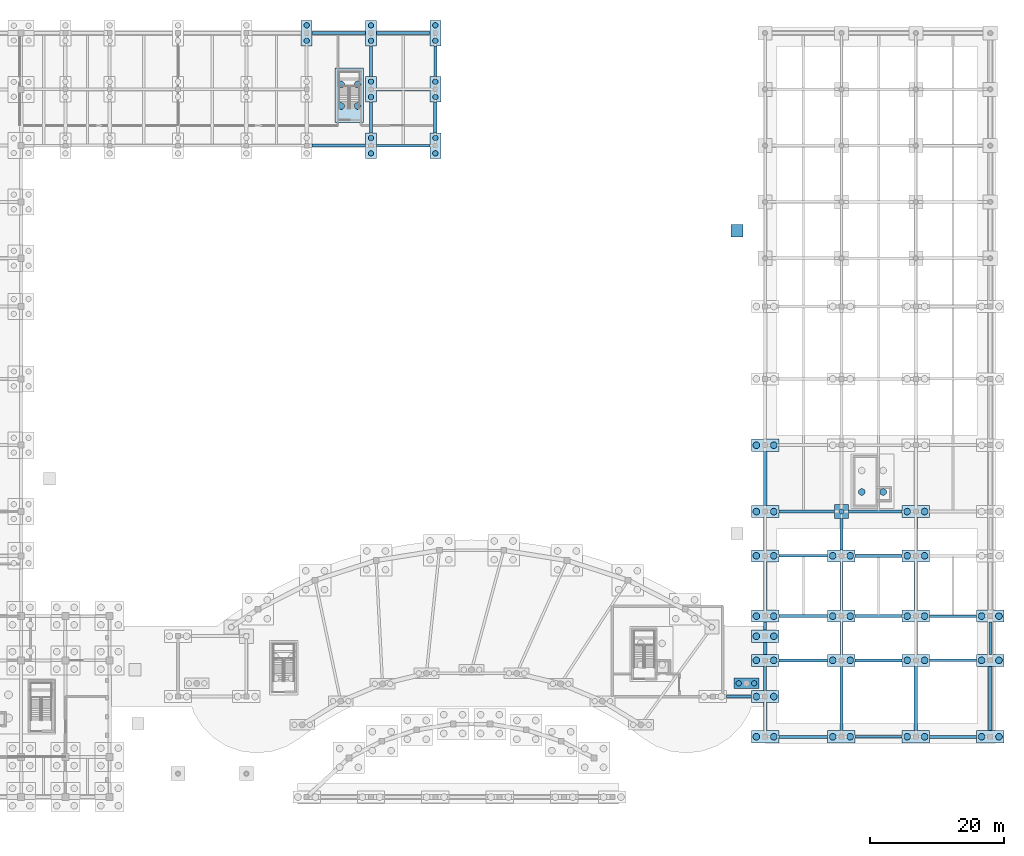
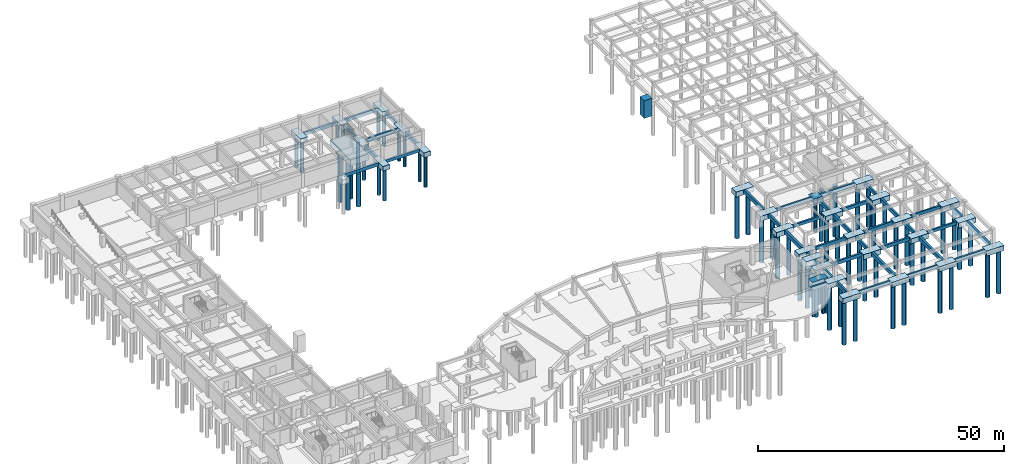
# One storey, part 5 of 28: 71 footings, 63 piles.
"""IFC4 building model written with IfcOpenShell, lengths in metres."""

import ifcopenshell
import ifcopenshell.guid

model = None  # the IFC model being written
_history = None  # IfcOwnerHistory: only IFC2X3 demands one
_inside = {}  # id of a spatial element -> (the spatial element, [elements in it])
_under = {}  # id of a project, library or spatial element -> (it, [spatial elements below it])
_declared = {}  # id of a project -> (the project, [libraries it declares])
_typed = {}  # id of a type object -> (the type object, [elements of that type])
_made_of = {}  # id of a material, layer set ... -> (it, [elements and type objects made of it])


def new_model(schema):
    """Start an empty IFC model of exactly this schema.

    Asked for "IFC4X3", IfcOpenShell would pick the latest addendum, in which some entities
    have other attributes; the version numbers below select the first issue.
    IFC2X3 requires an IfcOwnerHistory on every rooted entity: one is made here for all.
    """
    global model, _history
    if schema == "IFC4X3":
        model = ifcopenshell.file(schema_version=(4, 3, 0, 0))
    else:
        model = ifcopenshell.file(schema=schema)
    _inside.clear()
    _under.clear()
    _declared.clear()
    _typed.clear()
    _made_of.clear()
    _history = None
    if model.schema == "IFC2X3":
        org = make("IfcOrganization", Name="unknown")
        user = make(
            "IfcPersonAndOrganization",
            ThePerson=make("IfcPerson", FamilyName="unknown"),
            TheOrganization=org,
        )
        app = make(
            "IfcApplication",
            ApplicationDeveloper=org,
            Version="unknown",
            ApplicationFullName="unknown",
            ApplicationIdentifier="unknown",
        )
        _history = make(
            "IfcOwnerHistory",
            OwningUser=user,
            OwningApplication=app,
            ChangeAction="ADDED",
            CreationDate=0,
        )
    return model


def make(cls, **values):
    """One entity of the class cls with the attributes given. An attribute that is None is left unset."""
    return model.create_entity(
        cls, **{name: value for name, value in values.items() if value is not None}
    )


def rooted(cls, **values):
    """An entity with a GlobalId (a new one), such as an element, a storey or a relation."""
    return make(cls, GlobalId=ifcopenshell.guid.new(), OwnerHistory=_history, **values)


def si_unit(unit_type, name, prefix=None):
    """IfcSIUnit, for example si_unit("LENGTHUNIT", "METRE", prefix="MILLI")."""
    return make("IfcSIUnit", UnitType=unit_type, Prefix=prefix, Name=name)


def assignment(units):
    """IfcUnitAssignment: the units of a project."""
    return None if units is None else make("IfcUnitAssignment", Units=units)


def point(xyz):
    """IfcCartesianPoint."""
    return None if xyz is None else make("IfcCartesianPoint", Coordinates=xyz)


def direction(xyz):
    """IfcDirection."""
    return None if xyz is None else make("IfcDirection", DirectionRatios=xyz)


def frame(location, z_axis=None, x_axis=None):
    """IfcAxis2Placement3D, a coordinate frame: its origin and axes. An axis left out is left unset."""
    return make(
        "IfcAxis2Placement3D",
        Location=point(location),
        Axis=direction(z_axis),
        RefDirection=direction(x_axis),
    )


def frame_2d(location, x_axis=None):
    """IfcAxis2Placement2D, a coordinate frame in the plane: its origin and x axis."""
    return make(
        "IfcAxis2Placement2D", Location=point(location), RefDirection=direction(x_axis)
    )


def origin():
    """The frame at (0, 0, 0) with its axes left unset."""
    return frame((0.0, 0.0, 0.0))


def origin_2d():
    """The frame at (0, 0) in the plane with its x axis left unset."""
    return frame_2d((0.0, 0.0))


def place(relative_to, where):
    """IfcLocalPlacement: puts the frame where relative to a parent placement (None: the world)."""
    return make(
        "IfcLocalPlacement", PlacementRelTo=relative_to, RelativePlacement=where
    )


def context(
    kind, dimensions, precision=None, world=None, true_north=None, identifier=None
):
    """IfcGeometricRepresentationContext, for example the 3D "Model" context."""
    return make(
        "IfcGeometricRepresentationContext",
        ContextIdentifier=identifier,
        ContextType=kind,
        CoordinateSpaceDimension=dimensions,
        Precision=precision,
        WorldCoordinateSystem=world,
        TrueNorth=true_north,
    )


def subcontext(parent, identifier, kind, view, scale=None):
    """IfcGeometricRepresentationSubContext, for example "Body" below "Model"."""
    return make(
        "IfcGeometricRepresentationSubContext",
        ContextIdentifier=identifier,
        ContextType=kind,
        ParentContext=parent,
        TargetScale=scale,
        TargetView=view,
    )


def project(units=None, contexts=None):
    """IfcProject with its units and contexts."""
    return rooted(
        "IfcProject",
        Name="project",
        RepresentationContexts=contexts,
        UnitsInContext=assignment(units),
    )


def spatial(cls, under=None, at=None, **own):
    """A site, building, storey or space (cls), placed at a placement, below another one or the project."""
    s = rooted(cls, ObjectPlacement=at, **own)
    if under is not None:
        _under.setdefault(under.id(), (under, []))[1].append(s)
    return s


def profile(cls, at=None, kind="AREA", **sizes):
    """A parametric profile (cls). Its sizes go by their IFC names, for example OverallWidth=200.0."""
    return make(cls, ProfileType=kind, Position=at, **sizes)


def rectangle(**sizes):
    """IfcRectangleProfileDef."""
    return profile("IfcRectangleProfileDef", **sizes)


def circle(**sizes):
    """IfcCircleProfileDef."""
    return profile("IfcCircleProfileDef", **sizes)


def extrude(swept, where, along, depth):
    """IfcExtrudedAreaSolid: the profile swept, set in the frame where, extruded along a direction by depth."""
    return make(
        "IfcExtrudedAreaSolid",
        SweptArea=swept,
        Position=where,
        ExtrudedDirection=direction(along),
        Depth=depth,
    )


def shape(context_of_items, identifier, shape_type, items):
    """IfcShapeRepresentation: the items that make up one representation, for example the "Body"."""
    return make(
        "IfcShapeRepresentation",
        ContextOfItems=context_of_items,
        RepresentationIdentifier=identifier,
        RepresentationType=shape_type,
        Items=items,
    )


def material(Name=None, Category=None):
    """IfcMaterial."""
    return make("IfcMaterial", Name=Name, Category=Category)


def layer(
    of_material, thickness, ventilated=None, Name=None, Category=None, Priority=None
):
    """IfcMaterialLayer: one layer of a wall or slab, of a material (None: an air gap)."""
    return make(
        "IfcMaterialLayer",
        Material=of_material,
        LayerThickness=thickness,
        IsVentilated=ventilated,
        Name=Name,
        Category=Category,
        Priority=Priority,
    )


def layer_set(layers, Name=None):
    """IfcMaterialLayerSet."""
    return make("IfcMaterialLayerSet", MaterialLayers=layers, LayerSetName=Name)


def material_profile(
    of_material, cross_section, Name=None, Category=None, Priority=None
):
    """IfcMaterialProfile: a cross section and its material."""
    return make(
        "IfcMaterialProfile",
        Name=Name,
        Material=of_material,
        Profile=cross_section,
        Priority=Priority,
        Category=Category,
    )


def profile_set(profiles, Name=None, composite=None):
    """IfcMaterialProfileSet."""
    return make(
        "IfcMaterialProfileSet",
        Name=Name,
        MaterialProfiles=profiles,
        CompositeProfile=composite,
    )


def made_of(thing, what):
    """Note that an element or type object is made of a material, layer set ...; save() writes the relation."""
    if what is not None:
        _made_of.setdefault(what.id(), (what, []))[1].append(thing)
    return thing


def type_object(cls, material=None, **own):
    """A type object (cls), such as IfcWallType, which elements share."""
    return made_of(rooted(cls, **own), material)


def element(
    cls,
    number,
    at=None,
    inside=None,
    cuts=None,
    type_object=None,
    material=None,
    context=None,
    identifier="Body",
    shape_type=None,
    held_by="IfcProductDefinitionShape",
    body=None,
    shapes=None,
    **own,
):
    """One element of the class cls, such as IfcWall. Its Tag is "e" and its number.

    at: its placement. inside: the storey or other place that contains it. cuts: it is an
    opening in that element (IfcRelVoidsElement). A single representation is given by context,
    identifier, shape_type and body (its items); several are given by shapes. held_by: the class
    of the entity that holds the representations. save() writes the other relations.
    """
    e = rooted(cls, Tag="e%d" % number, ObjectPlacement=at, **own)
    if body is not None:
        shapes = [shape(context, identifier, shape_type, body)]
    if shapes is not None:
        e.Representation = make(held_by, Representations=shapes)
    if inside is not None:
        _inside.setdefault(inside.id(), (inside, []))[1].append(e)
    if cuts is not None:
        rooted(
            "IfcRelVoidsElement", RelatingBuildingElement=cuts, RelatedOpeningElement=e
        )
    if type_object is not None:
        _typed.setdefault(type_object.id(), (type_object, []))[1].append(e)
    return made_of(e, material)


def aggregate(whole, parts):
    """IfcRelAggregates: a whole, such as a stair, and the parts it consists of."""
    return rooted("IfcRelAggregates", RelatingObject=whole, RelatedObjects=parts)


def save(model, path):
    """Write the relations noted so far, then the file.

    IfcRelAggregates (storeys below a building ...), IfcRelContainedInSpatialStructure (elements
    in a storey), IfcRelDefinesByType, IfcRelAssociatesMaterial and IfcRelDeclares: one each for
    every whole, place, type object, material and project.
    """
    for whole, parts in _under.values():
        aggregate(whole, parts)
    for where, things in _inside.values():
        rooted(
            "IfcRelContainedInSpatialStructure",
            RelatedElements=things,
            RelatingStructure=where,
        )
    for kind, things in _typed.values():
        rooted("IfcRelDefinesByType", RelatedObjects=things, RelatingType=kind)
    for what, things in _made_of.values():
        rooted("IfcRelAssociatesMaterial", RelatedObjects=things, RelatingMaterial=what)
    for by, libraries in _declared.values():
        rooted("IfcRelDeclares", RelatingContext=by, RelatedDefinitions=libraries)
    model.write(path)


model = new_model("IFC4")

# Units and contexts
model_context = context("Model", 3, precision=1e-05, world=origin(), true_north=direction((0.0, 1.0)))
body_context = subcontext(model_context, "Body", "Model", "MODEL_VIEW")
ifc_project = project(units=[si_unit("LENGTHUNIT", "METRE"), si_unit("AREAUNIT", "SQUARE_METRE"), si_unit("VOLUMEUNIT", "CUBIC_METRE"), si_unit("PLANEANGLEUNIT", "RADIAN"), si_unit("MASSUNIT", "GRAM", prefix="KILO")], contexts=[model_context])

# Site, building, storey
site_placement = place(None, origin())
site = spatial("IfcSite", under=ifc_project, at=site_placement, CompositionType="ELEMENT")
building_placement = place(site_placement, origin())
building = spatial("IfcBuilding", under=site, at=building_placement, Name="Miralva Faculty of Natural Sciences", CompositionType="ELEMENT")
storey_placement = place(building_placement, frame((0.0, 0.0, -4.5)))
storey = spatial("IfcBuildingStorey", under=building, at=storey_placement, Name="B1", CompositionType="ELEMENT", Elevation=-4.5)

# Footings
ifc_material_1 = material(Name="Concrete C35/45", Category="concrete")
ifc_layer_1 = layer(ifc_material_1, 1.10009765625, Name="CAP-PC01")
ifc_layer_set_1 = layer_set([ifc_layer_1], Name="Concrete C35/45")
footing_type_1 = type_object("IfcFootingType", Name="CAP-PC01", PredefinedType="PILE_CAP", material=ifc_layer_set_1)
footing_1_placement = place(storey_placement, frame((145.199951171875, 45.60009765625, -1.10009765625), z_axis=(0.0, 0.0, 1.0), x_axis=(1.0, 0.0, 0.0)))
element("IfcFooting", 1, at=footing_1_placement, inside=storey, type_object=footing_type_1, Name="Pile cap CS-V2C-17F", PredefinedType="PILE_CAP", context=body_context, shape_type="SweptSolid", body=[
    extrude(rectangle(XDim=2.10009765625, YDim=2.10009765625, at=origin_2d()), origin(), (0.0, 0.0, 1.0), 1.10009765625),
])
ifc_layer_2 = layer(ifc_material_1, 1.14990234375, Name="CAP-PC02")
ifc_layer_set_2 = layer_set([ifc_layer_2], Name="Concrete C35/45")
footing_type_2 = type_object("IfcFootingType", Name="CAP-PC02", PredefinedType="PILE_CAP", material=ifc_layer_set_2)
footing_2_placement = place(storey_placement, frame((131.014404296875, 19.9765625, -1.14990234375), z_axis=(0.0, 0.0, 1.0), x_axis=(1.0, 0.0, 0.0)))
element("IfcFooting", 2, at=footing_2_placement, inside=storey, type_object=footing_type_2, Name="Pile cap CS-RND-E01", PredefinedType="PILE_CAP", context=body_context, shape_type="SweptSolid", body=[
    extrude(rectangle(XDim=3.699951171875, YDim=1.60009765625, at=origin_2d()), origin(), (0.0, 0.0, 1.0), 1.14990234375),
])
ifc_layer_3 = layer(ifc_material_1, 1.14990234375, Name="CAP-PC03")
ifc_layer_set_3 = layer_set([ifc_layer_3], Name="Concrete C35/45")
footing_type_3 = type_object("IfcFootingType", Name="CAP-PC03", PredefinedType="PILE_CAP", material=ifc_layer_set_3)
for number, where, z_axis, x_axis, name in (
    (3, (65.39990234375, 117.0, -1.14990234375), (0.0, 0.0, 1.0), (1.0, 0.0, 0.0), "Pile cap CS-V4N-9N"),
    (4, (75.0, 100.199951171875, -1.14990234375), (0.0, 0.0, 1.0), (1.0, 0.0, 0.0), "Pile cap CS-V4N-10L"),
    (5, (75.0, 108.60009765625, -1.14990234375), (0.0, 0.0, 1.0), (1.0, 0.0, 0.0), "Pile cap CS-V4N-10M"),
    (6, (75.0, 117.0, -1.14990234375), (0.0, 0.0, 1.0), (1.0, 0.0, 0.0), "Pile cap CS-V4N-10N"),
    (7, (84.60009765625, 100.199951171875, -1.14990234375), (0.0, 0.0, 1.0), (1.0, 0.0, 0.0), "Pile cap CS-V4N-11L"),
    (8, (84.60009765625, 108.60009765625, -1.14990234375), (0.0, 0.0, 1.0), (1.0, 0.0, 0.0), "Pile cap CS-V4N-11M"),
    (9, (84.60009765625, 117.0, -1.14990234375), (0.0, 0.0, 1.0), (1.0, 0.0, 0.0), "Pile cap CS-V4N-11N"),
):
    element("IfcFooting", number, at=place(storey_placement, frame(where, z_axis=z_axis, x_axis=x_axis)), inside=storey, type_object=footing_type_3, Name=name, PredefinedType="PILE_CAP", context=body_context, shape_type="SweptSolid", body=[
        extrude(rectangle(XDim=1.64990234375, YDim=3.800048828125, at=origin_2d()), origin(), (0.0, 0.0, 1.0), 1.14990234375),
    ])
ifc_layer_4 = layer(ifc_material_1, 1.25, Name="CAP-PC04")
ifc_layer_set_4 = layer_set([ifc_layer_4], Name="Concrete C35/45")
footing_type_4 = type_object("IfcFootingType", Name="CAP-PC04", PredefinedType="PILE_CAP", material=ifc_layer_set_4)
for number, where, z_axis, x_axis, name in (
    (10, (133.800048828125, 18.0, -1.25), (0.0, 0.0, 1.0), (1.0, 0.0, 0.0), "Pile cap CS-LNK-EL2S"),
    (11, (133.800048828125, 27.0, -1.25), (0.0, 0.0, 1.0), (1.0, 0.0, 0.0), "Pile cap CS-LNK-EL2N"),
    (12, (133.800048828125, 12.0, -1.25), (0.0, 0.0, 1.0), (1.0, 0.0, 0.0), "Pile cap CS-V2C-16B12"),
    (13, (133.800048828125, 23.39990234375, -1.25), (0.0, 0.0, 1.0), (1.0, 0.0, 0.0), "Pile cap CS-V2C-16C"),
    (14, (133.800048828125, 30.0, -1.25), (0.0, 0.0, 1.0), (1.0, 0.0, 0.0), "Pile cap CS-V2C-16D"),
    (15, (133.800048828125, 39.0, -1.25), (0.0, 0.0, 1.0), (1.0, 0.0, 0.0), "Pile cap CS-V2C-16E"),
    (16, (133.800048828125, 45.60009765625, -1.25), (0.0, 0.0, 1.0), (1.0, 0.0, 0.0), "Pile cap CS-V2C-16F"),
    (17, (133.800048828125, 55.5, -1.25), (0.0, 0.0, 1.0), (1.0, 0.0, 0.0), "Pile cap CS-V2C-16G"),
    (18, (145.199951171875, 12.0, -1.25), (0.0, 0.0, 1.0), (1.0, 0.0, 0.0), "Pile cap CS-V2C-17B12"),
    (19, (145.199951171875, 23.39990234375, -1.25), (0.0, 0.0, 1.0), (1.0, 0.0, 0.0), "Pile cap CS-V2C-17C"),
    (20, (145.199951171875, 30.0, -1.25), (0.0, 0.0, 1.0), (1.0, 0.0, 0.0), "Pile cap CS-V2C-17D"),
    (21, (145.199951171875, 39.0, -1.25), (0.0, 0.0, 1.0), (1.0, 0.0, 0.0), "Pile cap CS-V2C-17E"),
    (22, (156.300048828125, 12.0, -1.25), (0.0, 0.0, 1.0), (1.0, 0.0, 0.0), "Pile cap CS-V2C-18B12"),
    (23, (156.300048828125, 23.39990234375, -1.25), (0.0, 0.0, 1.0), (1.0, 0.0, 0.0), "Pile cap CS-V2C-18C"),
    (24, (156.300048828125, 30.0, -1.25), (0.0, 0.0, 1.0), (1.0, 0.0, 0.0), "Pile cap CS-V2C-18D"),
    (25, (156.300048828125, 39.0, -1.25), (0.0, 0.0, 1.0), (1.0, 0.0, 0.0), "Pile cap CS-V2C-18E"),
    (26, (156.300048828125, 45.60009765625, -1.25), (0.0, 0.0, 1.0), (1.0, 0.0, 0.0), "Pile cap CS-V2C-18F"),
    (27, (167.39990234375, 12.0, -1.25), (0.0, 0.0, 1.0), (1.0, 0.0, 0.0), "Pile cap CS-V2C-19B12"),
    (28, (167.39990234375, 23.39990234375, -1.25), (0.0, 0.0, 1.0), (1.0, 0.0, 0.0), "Pile cap CS-V2C-19C"),
    (29, (167.39990234375, 30.0, -1.25), (0.0, 0.0, 1.0), (1.0, 0.0, 0.0), "Pile cap CS-V2C-19D"),
):
    element("IfcFooting", number, at=place(storey_placement, frame(where, z_axis=z_axis, x_axis=x_axis)), inside=storey, type_object=footing_type_4, Name=name, PredefinedType="PILE_CAP", context=body_context, shape_type="SweptSolid", body=[
        extrude(rectangle(XDim=4.10009765625, YDim=1.800048828125, at=origin_2d()), origin(), (0.0, 0.0, 1.0), 1.25),
    ])
ifc_material_2 = material(Name="Concrete C40/50", Category="concrete")
ifc_layer_5 = layer(ifc_material_2, 1.5, Name="CAP-PC08-C5")
ifc_layer_set_5 = layer_set([ifc_layer_5], Name="Concrete C40/50")
footing_type_5 = type_object("IfcFootingType", Name="CAP-PC08-C5", PredefinedType="PILE_CAP", material=ifc_layer_set_5)
footing_3_placement = place(storey_placement, frame((71.77490234375, 107.72509765625, -1.5), z_axis=(0.0, 0.0, 1.0), x_axis=(1.0, 0.0, 0.0)))
element("IfcFooting", 30, at=footing_3_placement, inside=storey, type_object=footing_type_5, Name="Core C5 pile cap", PredefinedType="PILE_CAP", context=body_context, shape_type="SweptSolid", body=[
    extrude(rectangle(XDim=4.25, YDim=8.14990234375, at=origin_2d()), origin(), (0.0, 0.0, 1.0), 1.5),
])
ifc_layer_6 = layer(ifc_material_1, 0.75, Name="PAD-PF01")
ifc_layer_set_6 = layer_set([ifc_layer_6], Name="Concrete C35/45")
footing_type_6 = type_object("IfcFootingType", Name="PAD-PF01", PredefinedType="PAD_FOOTING", material=ifc_layer_set_6)
footing_4_placement = place(storey_placement, frame((129.60009765625, 87.5, -0.0302734375), z_axis=(0.0, 0.0, 1.0), x_axis=(1.0, 0.0, 0.0)))
element("IfcFooting", 31, at=footing_4_placement, inside=storey, type_object=footing_type_6, Name="Pedestrian ramp RMP-PED-05 abutment pier", PredefinedType="PAD_FOOTING", context=body_context, shape_type="SweptSolid", body=[
    extrude(rectangle(XDim=1.800048828125, YDim=1.800048828125, at=origin_2d()), origin(), (0.0, 0.0, 1.0), 4.360107421875),
])

# Piles
ifc_material_profile_1 = material_profile(ifc_material_1, circle(Radius=0.5, at=origin_2d()), Name="BORED PILE 1000")
ifc_profile_set_1 = profile_set([ifc_material_profile_1], Name="Concrete C35/45")
pile_type_1 = type_object("IfcPileType", Name="PILE-P1000", PredefinedType="BORED", material=ifc_profile_set_1)
for number, where, z_axis, x_axis, name in (
    (32, (148.22509765625, 48.52490234375, -1.39990234375), (0.0, 0.0, -1.0), (1.0, 0.0, 0.0), "Core C4 bored pile 1"),
    (33, (151.425048828125, 48.52490234375, -1.39990234375), (0.0, 0.0, -1.0), (1.0, 0.0, 0.0), "Core C4 bored pile 2"),
):
    element("IfcPile", number, at=place(storey_placement, frame(where, z_axis=z_axis, x_axis=x_axis)), inside=storey, type_object=pile_type_1, Name=name, PredefinedType="BORED", context=body_context, shape_type="SweptSolid", body=[
        extrude(circle(Radius=0.5, at=origin_2d()), origin(), (0.0, 0.0, 1.0), 12.60009765625),
    ])
for number, where, z_axis, x_axis, name in (
    (34, (70.550048828125, 106.125, -1.35009765625), (0.0, 0.0, -1.0), (1.0, 0.0, 0.0), "Core C5 bored pile 1"),
    (35, (73.0, 106.125, -1.35009765625), (0.0, 0.0, -1.0), (1.0, 0.0, 0.0), "Core C5 bored pile 2"),
    (36, (70.550048828125, 109.324951171875, -1.35009765625), (0.0, 0.0, -1.0), (1.0, 0.0, 0.0), "Core C5 bored pile 3"),
    (37, (73.0, 109.324951171875, -1.35009765625), (0.0, 0.0, -1.0), (1.0, 0.0, 0.0), "Core C5 bored pile 4"),
):
    element("IfcPile", number, at=place(storey_placement, frame(where, z_axis=z_axis, x_axis=x_axis)), inside=storey, type_object=pile_type_1, Name=name, PredefinedType="BORED", context=body_context, shape_type="SweptSolid", body=[
        extrude(circle(Radius=0.5, at=origin_2d()), origin(), (0.0, 0.0, 1.0), 12.64990234375),
    ])
for number, where, z_axis, x_axis, name in (
    (38, (132.5, 18.0, -1.10009765625), (0.0, 0.0, -1.0), (1.0, 0.0, 0.0), "Bored pile CS-LNK-EL2S-1"),
    (39, (135.10009765625, 18.0, -1.10009765625), (0.0, 0.0, -1.0), (1.0, 0.0, 0.0), "Bored pile CS-LNK-EL2S-2"),
    (40, (132.5, 27.0, -1.10009765625), (0.0, 0.0, -1.0), (1.0, 0.0, 0.0), "Bored pile CS-LNK-EL2N-1"),
    (41, (135.10009765625, 27.0, -1.10009765625), (0.0, 0.0, -1.0), (1.0, 0.0, 0.0), "Bored pile CS-LNK-EL2N-2"),
    (42, (132.5, 12.0, -1.10009765625), (0.0, 0.0, -1.0), (1.0, 0.0, 0.0), "Bored pile CS-V2C-16B12-1"),
    (43, (135.10009765625, 12.0, -1.10009765625), (0.0, 0.0, -1.0), (1.0, 0.0, 0.0), "Bored pile CS-V2C-16B12-2"),
    (44, (132.5, 23.39990234375, -1.10009765625), (0.0, 0.0, -1.0), (1.0, 0.0, 0.0), "Bored pile CS-V2C-16C-1"),
    (45, (135.10009765625, 23.39990234375, -1.10009765625), (0.0, 0.0, -1.0), (1.0, 0.0, 0.0), "Bored pile CS-V2C-16C-2"),
    (46, (132.5, 30.0, -1.10009765625), (0.0, 0.0, -1.0), (1.0, 0.0, 0.0), "Bored pile CS-V2C-16D-1"),
    (47, (135.10009765625, 30.0, -1.10009765625), (0.0, 0.0, -1.0), (1.0, 0.0, 0.0), "Bored pile CS-V2C-16D-2"),
    (48, (132.5, 39.0, -1.10009765625), (0.0, 0.0, -1.0), (1.0, 0.0, 0.0), "Bored pile CS-V2C-16E-1"),
    (49, (135.10009765625, 39.0, -1.10009765625), (0.0, 0.0, -1.0), (1.0, 0.0, 0.0), "Bored pile CS-V2C-16E-2"),
    (50, (132.5, 45.60009765625, -1.10009765625), (0.0, 0.0, -1.0), (1.0, 0.0, 0.0), "Bored pile CS-V2C-16F-1"),
    (51, (135.10009765625, 45.60009765625, -1.10009765625), (0.0, 0.0, -1.0), (1.0, 0.0, 0.0), "Bored pile CS-V2C-16F-2"),
    (52, (132.5, 55.5, -1.10009765625), (0.0, 0.0, -1.0), (1.0, 0.0, 0.0), "Bored pile CS-V2C-16G-1"),
    (53, (135.10009765625, 55.5, -1.10009765625), (0.0, 0.0, -1.0), (1.0, 0.0, 0.0), "Bored pile CS-V2C-16G-2"),
    (54, (143.89990234375, 12.0, -1.10009765625), (0.0, 0.0, -1.0), (1.0, 0.0, 0.0), "Bored pile CS-V2C-17B12-1"),
    (55, (146.5, 12.0, -1.10009765625), (0.0, 0.0, -1.0), (1.0, 0.0, 0.0), "Bored pile CS-V2C-17B12-2"),
    (56, (143.89990234375, 23.39990234375, -1.10009765625), (0.0, 0.0, -1.0), (1.0, 0.0, 0.0), "Bored pile CS-V2C-17C-1"),
    (57, (146.5, 23.39990234375, -1.10009765625), (0.0, 0.0, -1.0), (1.0, 0.0, 0.0), "Bored pile CS-V2C-17C-2"),
    (58, (143.89990234375, 30.0, -1.10009765625), (0.0, 0.0, -1.0), (1.0, 0.0, 0.0), "Bored pile CS-V2C-17D-1"),
    (59, (146.5, 30.0, -1.10009765625), (0.0, 0.0, -1.0), (1.0, 0.0, 0.0), "Bored pile CS-V2C-17D-2"),
    (60, (143.89990234375, 39.0, -1.10009765625), (0.0, 0.0, -1.0), (1.0, 0.0, 0.0), "Bored pile CS-V2C-17E-1"),
    (61, (146.5, 39.0, -1.10009765625), (0.0, 0.0, -1.0), (1.0, 0.0, 0.0), "Bored pile CS-V2C-17E-2"),
    (62, (155.0, 12.0, -1.10009765625), (0.0, 0.0, -1.0), (1.0, 0.0, 0.0), "Bored pile CS-V2C-18B12-1"),
    (63, (157.60009765625, 12.0, -1.10009765625), (0.0, 0.0, -1.0), (1.0, 0.0, 0.0), "Bored pile CS-V2C-18B12-2"),
    (64, (155.0, 23.39990234375, -1.10009765625), (0.0, 0.0, -1.0), (1.0, 0.0, 0.0), "Bored pile CS-V2C-18C-1"),
    (65, (157.60009765625, 23.39990234375, -1.10009765625), (0.0, 0.0, -1.0), (1.0, 0.0, 0.0), "Bored pile CS-V2C-18C-2"),
    (66, (155.0, 30.0, -1.10009765625), (0.0, 0.0, -1.0), (1.0, 0.0, 0.0), "Bored pile CS-V2C-18D-1"),
    (67, (157.60009765625, 30.0, -1.10009765625), (0.0, 0.0, -1.0), (1.0, 0.0, 0.0), "Bored pile CS-V2C-18D-2"),
    (68, (155.0, 39.0, -1.10009765625), (0.0, 0.0, -1.0), (1.0, 0.0, 0.0), "Bored pile CS-V2C-18E-1"),
    (69, (157.60009765625, 39.0, -1.10009765625), (0.0, 0.0, -1.0), (1.0, 0.0, 0.0), "Bored pile CS-V2C-18E-2"),
    (70, (155.0, 45.60009765625, -1.10009765625), (0.0, 0.0, -1.0), (1.0, 0.0, 0.0), "Bored pile CS-V2C-18F-1"),
    (71, (157.60009765625, 45.60009765625, -1.10009765625), (0.0, 0.0, -1.0), (1.0, 0.0, 0.0), "Bored pile CS-V2C-18F-2"),
    (72, (166.10009765625, 12.0, -1.10009765625), (0.0, 0.0, -1.0), (1.0, 0.0, 0.0), "Bored pile CS-V2C-19B12-1"),
    (73, (168.699951171875, 12.0, -1.10009765625), (0.0, 0.0, -1.0), (1.0, 0.0, 0.0), "Bored pile CS-V2C-19B12-2"),
    (74, (166.10009765625, 23.39990234375, -1.10009765625), (0.0, 0.0, -1.0), (1.0, 0.0, 0.0), "Bored pile CS-V2C-19C-1"),
    (75, (168.699951171875, 23.39990234375, -1.10009765625), (0.0, 0.0, -1.0), (1.0, 0.0, 0.0), "Bored pile CS-V2C-19C-2"),
    (76, (166.10009765625, 30.0, -1.10009765625), (0.0, 0.0, -1.0), (1.0, 0.0, 0.0), "Bored pile CS-V2C-19D-1"),
    (77, (168.699951171875, 30.0, -1.10009765625), (0.0, 0.0, -1.0), (1.0, 0.0, 0.0), "Bored pile CS-V2C-19D-2"),
):
    element("IfcPile", number, at=place(storey_placement, frame(where, z_axis=z_axis, x_axis=x_axis)), inside=storey, type_object=pile_type_1, Name=name, PredefinedType="BORED", context=body_context, shape_type="SweptSolid", body=[
        extrude(circle(Radius=0.5, at=origin_2d()), origin(), (0.0, 0.0, 1.0), 10.89990234375),
    ])
ifc_material_profile_2 = material_profile(ifc_material_1, circle(Radius=0.39990234375, at=origin_2d()), Name="BORED PILE 800")
ifc_profile_set_2 = profile_set([ifc_material_profile_2], Name="Concrete C35/45")
pile_type_2 = type_object("IfcPileType", Name="PILE-P800", PredefinedType="BORED", material=ifc_profile_set_2)
for number, where, z_axis, x_axis, name in (
    (78, (65.39990234375, 115.85009765625, -1.0), (0.0, 0.0, -1.0), (1.0, 0.0, 0.0), "Bored pile CS-V4N-9N-1"),
    (79, (65.39990234375, 118.14990234375, -1.0), (0.0, 0.0, -1.0), (1.0, 0.0, 0.0), "Bored pile CS-V4N-9N-2"),
    (80, (75.0, 99.050048828125, -1.0), (0.0, 0.0, -1.0), (1.0, 0.0, 0.0), "Bored pile CS-V4N-10L-1"),
    (81, (75.0, 101.35009765625, -1.0), (0.0, 0.0, -1.0), (1.0, 0.0, 0.0), "Bored pile CS-V4N-10L-2"),
    (82, (75.0, 107.449951171875, -1.0), (0.0, 0.0, -1.0), (1.0, 0.0, 0.0), "Bored pile CS-V4N-10M-1"),
    (83, (75.0, 109.75, -1.0), (0.0, 0.0, -1.0), (1.0, 0.0, 0.0), "Bored pile CS-V4N-10M-2"),
    (84, (75.0, 115.85009765625, -1.0), (0.0, 0.0, -1.0), (1.0, 0.0, 0.0), "Bored pile CS-V4N-10N-1"),
    (85, (75.0, 118.14990234375, -1.0), (0.0, 0.0, -1.0), (1.0, 0.0, 0.0), "Bored pile CS-V4N-10N-2"),
    (86, (84.60009765625, 99.050048828125, -1.0), (0.0, 0.0, -1.0), (1.0, 0.0, 0.0), "Bored pile CS-V4N-11L-1"),
    (87, (84.60009765625, 101.35009765625, -1.0), (0.0, 0.0, -1.0), (1.0, 0.0, 0.0), "Bored pile CS-V4N-11L-2"),
    (88, (84.60009765625, 107.449951171875, -1.0), (0.0, 0.0, -1.0), (1.0, 0.0, 0.0), "Bored pile CS-V4N-11M-1"),
    (89, (84.60009765625, 109.75, -1.0), (0.0, 0.0, -1.0), (1.0, 0.0, 0.0), "Bored pile CS-V4N-11M-2"),
    (90, (84.60009765625, 115.85009765625, -1.0), (0.0, 0.0, -1.0), (1.0, 0.0, 0.0), "Bored pile CS-V4N-11N-1"),
    (91, (84.60009765625, 118.14990234375, -1.0), (0.0, 0.0, -1.0), (1.0, 0.0, 0.0), "Bored pile CS-V4N-11N-2"),
):
    element("IfcPile", number, at=place(storey_placement, frame(where, z_axis=z_axis, x_axis=x_axis)), inside=storey, type_object=pile_type_2, Name=name, PredefinedType="BORED", context=body_context, shape_type="SweptSolid", body=[
        extrude(circle(Radius=0.39990234375, at=origin_2d()), origin(), (0.0, 0.0, 1.0), 8.0),
    ])
pile_placement = place(storey_placement, frame((145.199951171875, 45.60009765625, -0.949951171875), z_axis=(0.0, 0.0, -1.0), x_axis=(1.0, 0.0, 0.0)))
element("IfcPile", 92, at=pile_placement, inside=storey, type_object=pile_type_2, Name="Bored pile CS-V2C-17F-1", PredefinedType="BORED", context=body_context, shape_type="SweptSolid", body=[
    extrude(circle(Radius=0.39990234375, at=origin_2d()), origin(), (0.0, 0.0, 1.0), 8.050048828125),
])
for number, where, z_axis, x_axis, name in (
    (93, (129.864501953125, 19.9765625, -1.0), (0.0, 0.0, -1.0), (1.0, 0.0, 0.0), "Bored pile CS-RND-E01-1"),
    (94, (132.164306640625, 19.9765625, -1.0), (0.0, 0.0, -1.0), (1.0, 0.0, 0.0), "Bored pile CS-RND-E01-2"),
):
    element("IfcPile", number, at=place(storey_placement, frame(where, z_axis=z_axis, x_axis=x_axis)), inside=storey, type_object=pile_type_2, Name=name, PredefinedType="BORED", context=body_context, shape_type="SweptSolid", body=[
        extrude(circle(Radius=0.39990234375, at=origin_2d()), origin(), (0.0, 0.0, 1.0), 8.0),
    ])

# Footings
ifc_material_profile_3 = material_profile(ifc_material_1, rectangle(XDim=0.449951171875, YDim=0.85009765625, at=origin_2d()), Name="RC 450x850")
ifc_profile_set_3 = profile_set([ifc_material_profile_3], Name="Concrete C35/45")
footing_type_7 = type_object("IfcFootingType", Name="TB-01", PredefinedType="FOOTING_BEAM", material=ifc_profile_set_3)
for number, where, z_axis, x_axis, name in (
    (95, (75.0, 110.5, -0.425048828125), (0.0, 1.0, 0.0), (-1.0, 0.0, 0.0), "Foundation tie beam NS 60"),
    (96, (84.60009765625, 110.5, -0.425048828125), (0.0, 1.0, 0.0), (-1.0, 0.0, 0.0), "Foundation tie beam NS 62"),
):
    element("IfcFooting", number, at=place(storey_placement, frame(where, z_axis=z_axis, x_axis=x_axis)), inside=storey, type_object=footing_type_7, Name=name, PredefinedType="FOOTING_BEAM", context=body_context, shape_type="SweptSolid", body=[
        extrude(rectangle(XDim=0.449951171875, YDim=0.85009765625, at=origin_2d()), origin(), (0.0, 0.0, 1.0), 4.60009765625),
    ])
footing_5_placement = place(storey_placement, frame((133.800048828125, 18.89990234375, -0.425048828125), z_axis=(0.0, 1.0, 0.0), x_axis=(-1.0, 0.0, 0.0)))
element("IfcFooting", 97, at=footing_5_placement, inside=storey, type_object=footing_type_7, Name="Foundation tie beam NS 64", PredefinedType="FOOTING_BEAM", context=body_context, shape_type="SweptSolid", body=[
    extrude(rectangle(XDim=0.449951171875, YDim=0.85009765625, at=origin_2d()), origin(), (0.0, 0.0, 1.0), 3.60009765625),
])
footing_6_placement = place(storey_placement, frame((133.800048828125, 27.89990234375, -0.425048828125), z_axis=(0.0, 1.0, 0.0), x_axis=(-1.0, 0.0, 0.0)))
element("IfcFooting", 98, at=footing_6_placement, inside=storey, type_object=footing_type_7, Name="Foundation tie beam NS 66", PredefinedType="FOOTING_BEAM", context=body_context, shape_type="SweptSolid", body=[
    extrude(rectangle(XDim=0.449951171875, YDim=0.85009765625, at=origin_2d()), origin(), (0.0, 0.0, 1.0), 1.2001953125),
])
for number, where, z_axis, x_axis, name in (
    (99, (133.800048828125, 39.89990234375, -0.425048828125), (0.0, 1.0, 0.0), (-1.0, 0.0, 0.0), "Foundation tie beam NS 68"),
    (100, (145.199951171875, 24.300048828125, -0.425048828125), (0.0, 1.0, 0.0), (-1.0, 0.0, 0.0), "Foundation tie beam NS 78"),
):
    element("IfcFooting", number, at=place(storey_placement, frame(where, z_axis=z_axis, x_axis=x_axis)), inside=storey, type_object=footing_type_7, Name=name, PredefinedType="FOOTING_BEAM", context=body_context, shape_type="SweptSolid", body=[
        extrude(rectangle(XDim=0.449951171875, YDim=0.85009765625, at=origin_2d()), origin(), (0.0, 0.0, 1.0), 4.800048828125),
    ])
footing_7_placement = place(storey_placement, frame((145.199951171875, 39.89990234375, -0.425048828125), z_axis=(0.0, 1.0, 0.0), x_axis=(-1.0, 0.0, 0.0)))
element("IfcFooting", 101, at=footing_7_placement, inside=storey, type_object=footing_type_7, Name="Foundation tie beam NS 80", PredefinedType="FOOTING_BEAM", context=body_context, shape_type="SweptSolid", body=[
    extrude(rectangle(XDim=0.449951171875, YDim=0.85009765625, at=origin_2d()), origin(), (0.0, 0.0, 1.0), 4.650146484375),
])
for number, where, z_axis, x_axis, name in (
    (102, (156.300048828125, 24.300048828125, -0.425048828125), (0.0, 1.0, 0.0), (-1.0, 0.0, 0.0), "Foundation tie beam NS 90"),
    (103, (156.300048828125, 39.89990234375, -0.425048828125), (0.0, 1.0, 0.0), (-1.0, 0.0, 0.0), "Foundation tie beam NS 92"),
    (104, (167.39990234375, 24.300048828125, -0.425048828125), (0.0, 1.0, 0.0), (-1.0, 0.0, 0.0), "Foundation tie beam NS 102"),
):
    element("IfcFooting", number, at=place(storey_placement, frame(where, z_axis=z_axis, x_axis=x_axis)), inside=storey, type_object=footing_type_7, Name=name, PredefinedType="FOOTING_BEAM", context=body_context, shape_type="SweptSolid", body=[
        extrude(rectangle(XDim=0.449951171875, YDim=0.85009765625, at=origin_2d()), origin(), (0.0, 0.0, 1.0), 4.800048828125),
    ])
footing_8_placement = place(storey_placement, frame((135.85009765625, 12.0, -0.425048828125), z_axis=(1.0, 0.0, 0.0), x_axis=(0.0, 1.0, 0.0)))
element("IfcFooting", 105, at=footing_8_placement, inside=storey, type_object=footing_type_7, Name="Foundation tie beam EW 128", PredefinedType="FOOTING_BEAM", context=body_context, shape_type="SweptSolid", body=[
    extrude(rectangle(XDim=0.449951171875, YDim=0.85009765625, at=origin_2d()), origin(), (0.0, 0.0, 1.0), 7.2998046875),
])
footing_9_placement = place(storey_placement, frame((158.35009765625, 12.0, -0.425048828125), z_axis=(1.0, 0.0, 0.0), x_axis=(0.0, 1.0, 0.0)))
element("IfcFooting", 106, at=footing_9_placement, inside=storey, type_object=footing_type_7, Name="Foundation tie beam EW 130", PredefinedType="FOOTING_BEAM", context=body_context, shape_type="SweptSolid", body=[
    extrude(rectangle(XDim=0.449951171875, YDim=0.85009765625, at=origin_2d()), origin(), (0.0, 0.0, 1.0), 7.0),
])
footing_10_placement = place(storey_placement, frame((128.050048828125, 18.0, -0.425048828125), z_axis=(1.0, 0.0, 0.0), x_axis=(0.0, 1.0, 0.0)))
element("IfcFooting", 107, at=footing_10_placement, inside=storey, type_object=footing_type_7, Name="Foundation tie beam EW 133", PredefinedType="FOOTING_BEAM", context=body_context, shape_type="SweptSolid", body=[
    extrude(rectangle(XDim=0.449951171875, YDim=0.85009765625, at=origin_2d()), origin(), (0.0, 0.0, 1.0), 3.699951171875),
])
footing_11_placement = place(storey_placement, frame((135.85009765625, 23.39990234375, -0.425048828125), z_axis=(1.0, 0.0, 0.0), x_axis=(0.0, 1.0, 0.0)))
element("IfcFooting", 108, at=footing_11_placement, inside=storey, type_object=footing_type_7, Name="Foundation tie beam EW 139", PredefinedType="FOOTING_BEAM", context=body_context, shape_type="SweptSolid", body=[
    extrude(rectangle(XDim=0.449951171875, YDim=0.85009765625, at=origin_2d()), origin(), (0.0, 0.0, 1.0), 7.2998046875),
])
footing_12_placement = place(storey_placement, frame((147.25, 23.39990234375, -0.425048828125), z_axis=(1.0, 0.0, 0.0), x_axis=(0.0, 1.0, 0.0)))
element("IfcFooting", 109, at=footing_12_placement, inside=storey, type_object=footing_type_7, Name="Foundation tie beam EW 140", PredefinedType="FOOTING_BEAM", context=body_context, shape_type="SweptSolid", body=[
    extrude(rectangle(XDim=0.449951171875, YDim=0.85009765625, at=origin_2d()), origin(), (0.0, 0.0, 1.0), 7.0),
])
footing_13_placement = place(storey_placement, frame((135.85009765625, 30.0, -0.425048828125), z_axis=(1.0, 0.0, 0.0), x_axis=(0.0, 1.0, 0.0)))
element("IfcFooting", 110, at=footing_13_placement, inside=storey, type_object=footing_type_7, Name="Foundation tie beam EW 148", PredefinedType="FOOTING_BEAM", context=body_context, shape_type="SweptSolid", body=[
    extrude(rectangle(XDim=0.449951171875, YDim=0.85009765625, at=origin_2d()), origin(), (0.0, 0.0, 1.0), 7.2998046875),
])
for number, where, z_axis, x_axis, name in (
    (111, (147.25, 30.0, -0.425048828125), (1.0, 0.0, 0.0), (0.0, 1.0, 0.0), "Foundation tie beam EW 149"),
    (112, (147.25, 39.0, -0.425048828125), (1.0, 0.0, 0.0), (0.0, 1.0, 0.0), "Foundation tie beam EW 154"),
):
    element("IfcFooting", number, at=place(storey_placement, frame(where, z_axis=z_axis, x_axis=x_axis)), inside=storey, type_object=footing_type_7, Name=name, PredefinedType="FOOTING_BEAM", context=body_context, shape_type="SweptSolid", body=[
        extrude(rectangle(XDim=0.449951171875, YDim=0.85009765625, at=origin_2d()), origin(), (0.0, 0.0, 1.0), 7.0),
    ])
footing_14_placement = place(storey_placement, frame((146.25, 45.60009765625, -0.425048828125), z_axis=(1.0, 0.0, 0.0), x_axis=(0.0, 1.0, 0.0)))
element("IfcFooting", 113, at=footing_14_placement, inside=storey, type_object=footing_type_7, Name="Foundation tie beam EW 160", PredefinedType="FOOTING_BEAM", context=body_context, shape_type="SweptSolid", body=[
    extrude(rectangle(XDim=0.449951171875, YDim=0.85009765625, at=origin_2d()), origin(), (0.0, 0.0, 1.0), 8.0),
])
for number, where, z_axis, x_axis, name in (
    (114, (66.22509765625, 100.199951171875, -0.425048828125), (1.0, 0.0, 0.0), (0.0, 1.0, 0.0), "Foundation tie beam EW 194"),
    (115, (75.824951171875, 108.60009765625, -0.425048828125), (1.0, 0.0, 0.0), (0.0, 1.0, 0.0), "Foundation tie beam EW 206"),
    (116, (66.22509765625, 117.0, -0.425048828125), (1.0, 0.0, 0.0), (0.0, 1.0, 0.0), "Foundation tie beam EW 217"),
    (117, (75.824951171875, 117.0, -0.425048828125), (1.0, 0.0, 0.0), (0.0, 1.0, 0.0), "Foundation tie beam EW 218"),
):
    element("IfcFooting", number, at=place(storey_placement, frame(where, z_axis=z_axis, x_axis=x_axis)), inside=storey, type_object=footing_type_7, Name=name, PredefinedType="FOOTING_BEAM", context=body_context, shape_type="SweptSolid", body=[
        extrude(rectangle(XDim=0.449951171875, YDim=0.85009765625, at=origin_2d()), origin(), (0.0, 0.0, 1.0), 7.949951171875),
    ])
ifc_material_profile_4 = material_profile(ifc_material_1, rectangle(XDim=0.5, YDim=0.949951171875, at=origin_2d()), Name="RC 500x950")
ifc_profile_set_4 = profile_set([ifc_material_profile_4], Name="Concrete C35/45")
footing_type_8 = type_object("IfcFootingType", Name="TB-02", PredefinedType="FOOTING_BEAM", material=ifc_profile_set_4)
for number, where, z_axis, x_axis, name in (
    (118, (75.0, 102.10009765625, -0.47509765625), (0.0, 1.0, 0.0), (-1.0, 0.0, 0.0), "Foundation tie beam NS 59"),
    (119, (84.60009765625, 102.10009765625, -0.47509765625), (0.0, 1.0, 0.0), (-1.0, 0.0, 0.0), "Foundation tie beam NS 61"),
):
    element("IfcFooting", number, at=place(storey_placement, frame(where, z_axis=z_axis, x_axis=x_axis)), inside=storey, type_object=footing_type_8, Name=name, PredefinedType="FOOTING_BEAM", context=body_context, shape_type="SweptSolid", body=[
        extrude(rectangle(XDim=0.5, YDim=0.949951171875, at=origin_2d()), origin(), (0.0, 0.0, 1.0), 4.599853515625),
    ])
footing_15_placement = place(storey_placement, frame((133.800048828125, 12.89990234375, -0.47509765625), z_axis=(0.0, 1.0, 0.0), x_axis=(-1.0, 0.0, 0.0)))
element("IfcFooting", 120, at=footing_15_placement, inside=storey, type_object=footing_type_8, Name="Foundation tie beam NS 63", PredefinedType="FOOTING_BEAM", context=body_context, shape_type="SweptSolid", body=[
    extrude(rectangle(XDim=0.5, YDim=0.949951171875, at=origin_2d()), origin(), (0.0, 0.0, 1.0), 4.2001953125),
])
footing_16_placement = place(storey_placement, frame((133.800048828125, 24.300048828125, -0.47509765625), z_axis=(0.0, 1.0, 0.0), x_axis=(-1.0, 0.0, 0.0)))
element("IfcFooting", 121, at=footing_16_placement, inside=storey, type_object=footing_type_8, Name="Foundation tie beam NS 65", PredefinedType="FOOTING_BEAM", context=body_context, shape_type="SweptSolid", body=[
    extrude(rectangle(XDim=0.5, YDim=0.949951171875, at=origin_2d()), origin(), (0.0, 0.0, 1.0), 1.800048828125),
])
footing_17_placement = place(storey_placement, frame((133.800048828125, 30.89990234375, -0.47509765625), z_axis=(0.0, 1.0, 0.0), x_axis=(-1.0, 0.0, 0.0)))
element("IfcFooting", 122, at=footing_17_placement, inside=storey, type_object=footing_type_8, Name="Foundation tie beam NS 67", PredefinedType="FOOTING_BEAM", context=body_context, shape_type="SweptSolid", body=[
    extrude(rectangle(XDim=0.5, YDim=0.949951171875, at=origin_2d()), origin(), (0.0, 0.0, 1.0), 7.2001953125),
])
footing_18_placement = place(storey_placement, frame((133.800048828125, 46.5, -0.47509765625), z_axis=(0.0, 1.0, 0.0), x_axis=(-1.0, 0.0, 0.0)))
element("IfcFooting", 123, at=footing_18_placement, inside=storey, type_object=footing_type_8, Name="Foundation tie beam NS 69", PredefinedType="FOOTING_BEAM", context=body_context, shape_type="SweptSolid", body=[
    extrude(rectangle(XDim=0.5, YDim=0.949951171875, at=origin_2d()), origin(), (0.0, 0.0, 1.0), 8.10009765625),
])
footing_19_placement = place(storey_placement, frame((145.199951171875, 12.89990234375, -0.47509765625), z_axis=(0.0, 1.0, 0.0), x_axis=(-1.0, 0.0, 0.0)))
element("IfcFooting", 124, at=footing_19_placement, inside=storey, type_object=footing_type_8, Name="Foundation tie beam NS 77", PredefinedType="FOOTING_BEAM", context=body_context, shape_type="SweptSolid", body=[
    extrude(rectangle(XDim=0.5, YDim=0.949951171875, at=origin_2d()), origin(), (0.0, 0.0, 1.0), 9.60009765625),
])
footing_20_placement = place(storey_placement, frame((145.199951171875, 30.89990234375, -0.47509765625), z_axis=(0.0, 1.0, 0.0), x_axis=(-1.0, 0.0, 0.0)))
element("IfcFooting", 125, at=footing_20_placement, inside=storey, type_object=footing_type_8, Name="Foundation tie beam NS 79", PredefinedType="FOOTING_BEAM", context=body_context, shape_type="SweptSolid", body=[
    extrude(rectangle(XDim=0.5, YDim=0.949951171875, at=origin_2d()), origin(), (0.0, 0.0, 1.0), 7.2001953125),
])
footing_21_placement = place(storey_placement, frame((156.300048828125, 12.89990234375, -0.47509765625), z_axis=(0.0, 1.0, 0.0), x_axis=(-1.0, 0.0, 0.0)))
element("IfcFooting", 126, at=footing_21_placement, inside=storey, type_object=footing_type_8, Name="Foundation tie beam NS 89", PredefinedType="FOOTING_BEAM", context=body_context, shape_type="SweptSolid", body=[
    extrude(rectangle(XDim=0.5, YDim=0.949951171875, at=origin_2d()), origin(), (0.0, 0.0, 1.0), 9.60009765625),
])
footing_22_placement = place(storey_placement, frame((156.300048828125, 30.89990234375, -0.47509765625), z_axis=(0.0, 1.0, 0.0), x_axis=(-1.0, 0.0, 0.0)))
element("IfcFooting", 127, at=footing_22_placement, inside=storey, type_object=footing_type_8, Name="Foundation tie beam NS 91", PredefinedType="FOOTING_BEAM", context=body_context, shape_type="SweptSolid", body=[
    extrude(rectangle(XDim=0.5, YDim=0.949951171875, at=origin_2d()), origin(), (0.0, 0.0, 1.0), 7.2001953125),
])
footing_23_placement = place(storey_placement, frame((167.39990234375, 12.89990234375, -0.47509765625), z_axis=(0.0, 1.0, 0.0), x_axis=(-1.0, 0.0, 0.0)))
element("IfcFooting", 128, at=footing_23_placement, inside=storey, type_object=footing_type_8, Name="Foundation tie beam NS 101", PredefinedType="FOOTING_BEAM", context=body_context, shape_type="SweptSolid", body=[
    extrude(rectangle(XDim=0.5, YDim=0.949951171875, at=origin_2d()), origin(), (0.0, 0.0, 1.0), 9.60009765625),
])
ifc_material_profile_5 = material_profile(ifc_material_1, rectangle(XDim=0.39990234375, YDim=0.75, at=origin_2d()), Name="RC 400x750")
ifc_profile_set_5 = profile_set([ifc_material_profile_5], Name="Concrete C35/45")
footing_type_9 = type_object("IfcFootingType", Name="TB-04", PredefinedType="FOOTING_BEAM", material=ifc_profile_set_5)
for number, where, z_axis, x_axis, name in (
    (129, (147.25, 12.0, -0.375), (1.0, 0.0, 0.0), (0.0, 1.0, 0.0), "Foundation tie beam EW 129"),
    (130, (158.35009765625, 23.39990234375, -0.375), (1.0, 0.0, 0.0), (0.0, 1.0, 0.0), "Foundation tie beam EW 141"),
    (131, (158.35009765625, 30.0, -0.375), (1.0, 0.0, 0.0), (0.0, 1.0, 0.0), "Foundation tie beam EW 150"),
):
    element("IfcFooting", number, at=place(storey_placement, frame(where, z_axis=z_axis, x_axis=x_axis)), inside=storey, type_object=footing_type_9, Name=name, PredefinedType="FOOTING_BEAM", context=body_context, shape_type="SweptSolid", body=[
        extrude(rectangle(XDim=0.39990234375, YDim=0.75, at=origin_2d()), origin(), (0.0, 0.0, 1.0), 7.0),
    ])
footing_24_placement = place(storey_placement, frame((135.85009765625, 39.0, -0.375), z_axis=(1.0, 0.0, 0.0), x_axis=(0.0, 1.0, 0.0)))
element("IfcFooting", 132, at=footing_24_placement, inside=storey, type_object=footing_type_9, Name="Foundation tie beam EW 153", PredefinedType="FOOTING_BEAM", context=body_context, shape_type="SweptSolid", body=[
    extrude(rectangle(XDim=0.39990234375, YDim=0.75, at=origin_2d()), origin(), (0.0, 0.0, 1.0), 7.2998046875),
])
footing_25_placement = place(storey_placement, frame((135.85009765625, 45.60009765625, -0.375), z_axis=(1.0, 0.0, 0.0), x_axis=(0.0, 1.0, 0.0)))
element("IfcFooting", 133, at=footing_25_placement, inside=storey, type_object=footing_type_9, Name="Foundation tie beam EW 159", PredefinedType="FOOTING_BEAM", context=body_context, shape_type="SweptSolid", body=[
    extrude(rectangle(XDim=0.39990234375, YDim=0.75, at=origin_2d()), origin(), (0.0, 0.0, 1.0), 8.2998046875),
])
footing_26_placement = place(storey_placement, frame((75.824951171875, 100.199951171875, -0.375), z_axis=(1.0, 0.0, 0.0), x_axis=(0.0, 1.0, 0.0)))
element("IfcFooting", 134, at=footing_26_placement, inside=storey, type_object=footing_type_9, Name="Foundation tie beam EW 195", PredefinedType="FOOTING_BEAM", context=body_context, shape_type="SweptSolid", body=[
    extrude(rectangle(XDim=0.39990234375, YDim=0.75, at=origin_2d()), origin(), (0.0, 0.0, 1.0), 7.949951171875),
])

save(model, "model.ifc")
